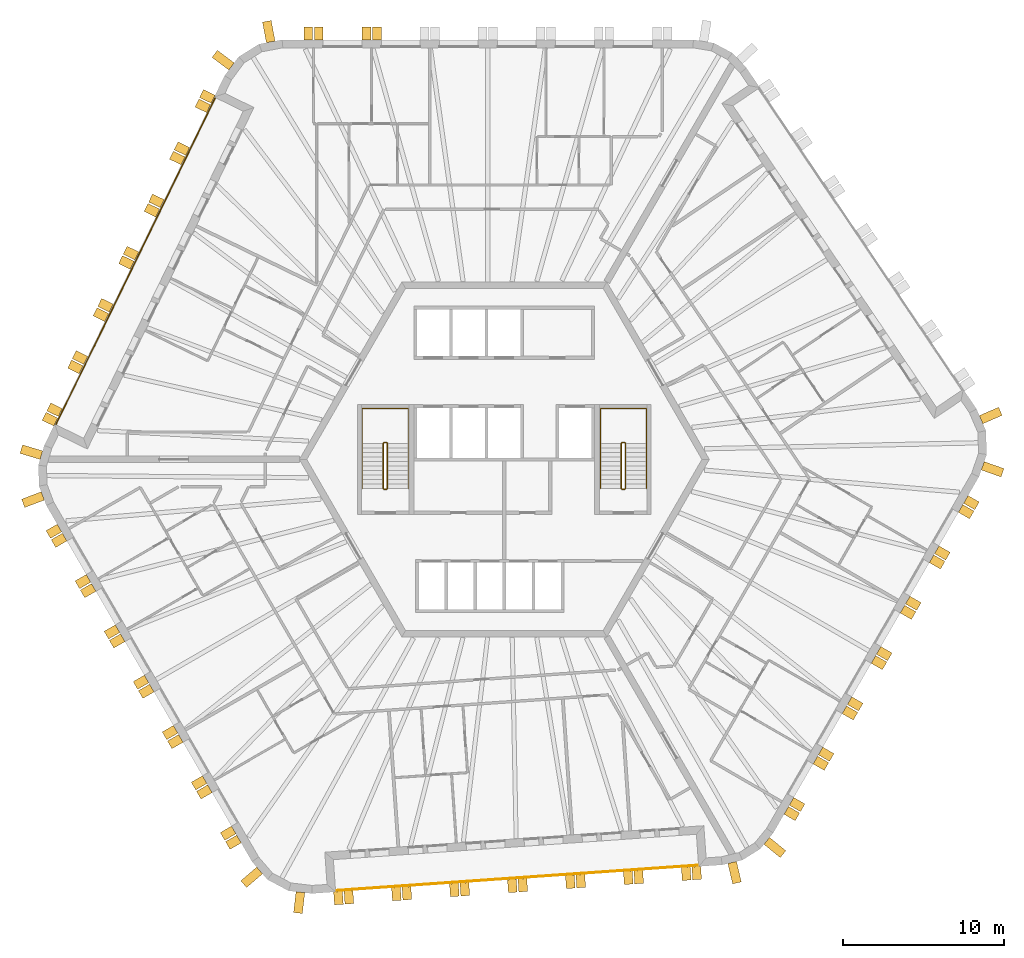
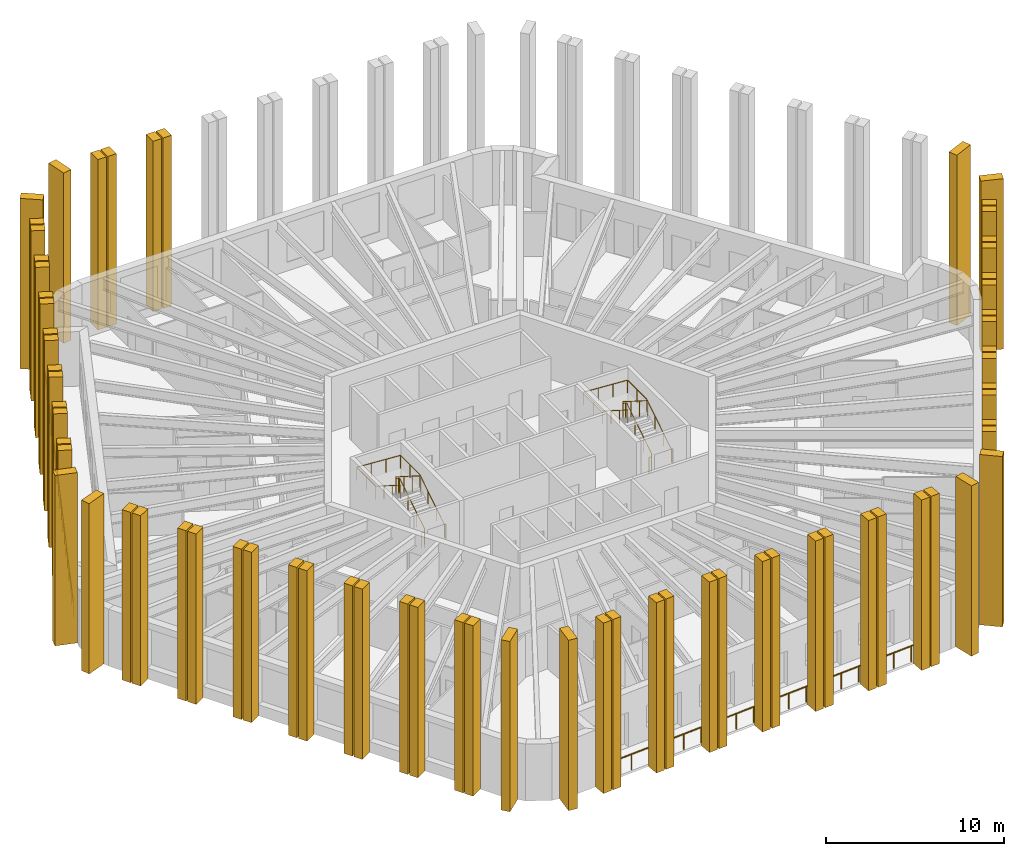
# One storey, part 12 of 13: 70 shading devices, 6 railings.
"""IFC4 building model written with IfcOpenShell, lengths in metres."""

from ifc_helpers import new_model, si_unit, direction, frame, origin, origin_2d, place, context, subcontext, project, spatial, polyline, circle, outline, extrude, material, layer, layer_set, type_object, element, save


model = new_model("IFC4")

# Units and contexts
model_context = context("Model", 3, precision=1e-05, world=origin(), true_north=direction((0.0, 1.0)))
body_context = subcontext(model_context, "Body", "Model", "MODEL_VIEW")
ifc_project = project(units=[si_unit("LENGTHUNIT", "METRE"), si_unit("AREAUNIT", "SQUARE_METRE"), si_unit("VOLUMEUNIT", "CUBIC_METRE"), si_unit("PLANEANGLEUNIT", "RADIAN"), si_unit("MASSUNIT", "GRAM", prefix="KILO")], contexts=[model_context])

# Site, building, storey
site_placement = place(None, origin())
site = spatial("IfcSite", under=ifc_project, at=site_placement, CompositionType="ELEMENT")
building_placement = place(site_placement, origin())
building = spatial("IfcBuilding", under=site, at=building_placement, Name="Tarnside Tower", CompositionType="ELEMENT")
storey_placement = place(building_placement, frame((0.0, 0.0, 303.0)))
storey = spatial("IfcBuildingStorey", under=building, at=storey_placement, Name="L73", CompositionType="ELEMENT", Elevation=303.0)

# Railings
ifc_material_1 = material(Name="Toughened glass", Category="glass")
railing_type_1 = type_object("IfcRailingType", Name="Glass guard 1100", PredefinedType="GUARDRAIL", material=ifc_material_1)
railing_1_placement = place(storey_placement, frame((-17.906005859375, 22.415283203125, 0.0)))
element("IfcRailing", 1, at=railing_1_placement, inside=storey, type_object=railing_type_1, Name="Loggia guard L73 F2", PredefinedType="GUARDRAIL", context=body_context, shape_type="SweptSolid", body=[
    extrude(circle(Radius=0.030029296875, at=origin_2d()), frame((0.0, 0.0, 1.070068359375), z_axis=(-0.438372639335, -0.898793318335, 0.0), x_axis=(0.898793318335, -0.438372639335, 0.0)), (0.0, 0.0, 1.0), 22.544921875),
    extrude(circle(Radius=0.02490234375, at=origin_2d()), origin(), (0.0, 0.0, 1.0), 1.0400390625),
    extrude(circle(Radius=0.02490234375, at=origin_2d()), frame((-0.520263671875, -1.06640625, 0.0)), (0.0, 0.0, 1.0), 1.0400390625),
    extrude(circle(Radius=0.02490234375, at=origin_2d()), frame((-1.040283203125, -2.133056640625, 0.0)), (0.0, 0.0, 1.0), 1.0400390625),
    extrude(circle(Radius=0.02490234375, at=origin_2d()), frame((-1.560546875, -3.199462890625, 0.0)), (0.0, 0.0, 1.0), 1.0400390625),
    extrude(circle(Radius=0.02490234375, at=origin_2d()), frame((-2.08056640625, -4.265869140625, 0.0)), (0.0, 0.0, 1.0), 1.0400390625),
    extrude(circle(Radius=0.02490234375, at=origin_2d()), frame((-2.600830078125, -5.33251953125, 0.0)), (0.0, 0.0, 1.0), 1.0400390625),
    extrude(circle(Radius=0.02490234375, at=origin_2d()), frame((-3.120849609375, -6.39892578125, 0.0)), (0.0, 0.0, 1.0), 1.0400390625),
    extrude(circle(Radius=0.02490234375, at=origin_2d()), frame((-3.64111328125, -7.46533203125, 0.0)), (0.0, 0.0, 1.0), 1.0400390625),
    extrude(circle(Radius=0.02490234375, at=origin_2d()), frame((-4.161376953125, -8.531982421875, 0.0)), (0.0, 0.0, 1.0), 1.0400390625),
    extrude(circle(Radius=0.02490234375, at=origin_2d()), frame((-4.681396484375, -9.598388671875, 0.0)), (0.0, 0.0, 1.0), 1.0400390625),
    extrude(circle(Radius=0.02490234375, at=origin_2d()), frame((-5.20166015625, -10.664794921875, 0.0)), (0.0, 0.0, 1.0), 1.0400390625),
    extrude(circle(Radius=0.02490234375, at=origin_2d()), frame((-5.7216796875, -11.731201171875, 0.0)), (0.0, 0.0, 1.0), 1.0400390625),
    extrude(circle(Radius=0.02490234375, at=origin_2d()), frame((-6.241943359375, -12.7978515625, 0.0)), (0.0, 0.0, 1.0), 1.0400390625),
    extrude(circle(Radius=0.02490234375, at=origin_2d()), frame((-6.76220703125, -13.8642578125, 0.0)), (0.0, 0.0, 1.0), 1.0400390625),
    extrude(circle(Radius=0.02490234375, at=origin_2d()), frame((-7.2822265625, -14.9306640625, 0.0)), (0.0, 0.0, 1.0), 1.0400390625),
    extrude(circle(Radius=0.02490234375, at=origin_2d()), frame((-7.802490234375, -15.997314453125, 0.0)), (0.0, 0.0, 1.0), 1.0400390625),
    extrude(circle(Radius=0.02490234375, at=origin_2d()), frame((-8.322509765625, -17.063720703125, 0.0)), (0.0, 0.0, 1.0), 1.0400390625),
    extrude(circle(Radius=0.02490234375, at=origin_2d()), frame((-8.8427734375, -18.130126953125, 0.0)), (0.0, 0.0, 1.0), 1.0400390625),
    extrude(circle(Radius=0.02490234375, at=origin_2d()), frame((-9.36279296875, -19.19677734375, 0.0)), (0.0, 0.0, 1.0), 1.0400390625),
    extrude(circle(Radius=0.02490234375, at=origin_2d()), frame((-9.883056640625, -20.26318359375, 0.0)), (0.0, 0.0, 1.0), 1.0400390625),
])
railing_2_placement = place(storey_placement, frame((-10.458984375, -26.714599609375, 0.0)))
element("IfcRailing", 2, at=railing_2_placement, inside=storey, type_object=railing_type_1, Name="Loggia guard L73 F4", PredefinedType="GUARDRAIL", context=body_context, shape_type="SweptSolid", body=[
    extrude(circle(Radius=0.030029296875, at=origin_2d()), frame((0.0, 0.0, 1.070068359375), z_axis=(0.997564440639, 0.069750890837, 0.0), x_axis=(-0.069750890837, 0.997564440639, 0.0)), (0.0, 0.0, 1.0), 22.544677734375),
    extrude(circle(Radius=0.02490234375, at=origin_2d()), origin(), (0.0, 0.0, 1.0), 1.0400390625),
    extrude(circle(Radius=0.02490234375, at=origin_2d()), frame((1.18359375, 0.082763671875, 0.0)), (0.0, 0.0, 1.0), 1.0400390625),
    extrude(circle(Radius=0.02490234375, at=origin_2d()), frame((2.367431640625, 0.16552734375, 0.0)), (0.0, 0.0, 1.0), 1.0400390625),
    extrude(circle(Radius=0.02490234375, at=origin_2d()), frame((3.551025390625, 0.248291015625, 0.0)), (0.0, 0.0, 1.0), 1.0400390625),
    extrude(circle(Radius=0.02490234375, at=origin_2d()), frame((4.734619140625, 0.3310546875, 0.0)), (0.0, 0.0, 1.0), 1.0400390625),
    extrude(circle(Radius=0.02490234375, at=origin_2d()), frame((5.91845703125, 0.413818359375, 0.0)), (0.0, 0.0, 1.0), 1.0400390625),
    extrude(circle(Radius=0.02490234375, at=origin_2d()), frame((7.10205078125, 0.49658203125, 0.0)), (0.0, 0.0, 1.0), 1.0400390625),
    extrude(circle(Radius=0.02490234375, at=origin_2d()), frame((8.28564453125, 0.579345703125, 0.0)), (0.0, 0.0, 1.0), 1.0400390625),
    extrude(circle(Radius=0.02490234375, at=origin_2d()), frame((9.469482421875, 0.662109375, 0.0)), (0.0, 0.0, 1.0), 1.0400390625),
    extrude(circle(Radius=0.02490234375, at=origin_2d()), frame((10.653076171875, 0.744873046875, 0.0)), (0.0, 0.0, 1.0), 1.0400390625),
    extrude(circle(Radius=0.02490234375, at=origin_2d()), frame((11.836669921875, 0.82763671875, 0.0)), (0.0, 0.0, 1.0), 1.0400390625),
    extrude(circle(Radius=0.02490234375, at=origin_2d()), frame((13.020263671875, 0.910400390625, 0.0)), (0.0, 0.0, 1.0), 1.0400390625),
    extrude(circle(Radius=0.02490234375, at=origin_2d()), frame((14.2041015625, 0.9931640625, 0.0)), (0.0, 0.0, 1.0), 1.0400390625),
    extrude(circle(Radius=0.02490234375, at=origin_2d()), frame((15.3876953125, 1.075927734375, 0.0)), (0.0, 0.0, 1.0), 1.0400390625),
    extrude(circle(Radius=0.02490234375, at=origin_2d()), frame((16.5712890625, 1.15869140625, 0.0)), (0.0, 0.0, 1.0), 1.0400390625),
    extrude(circle(Radius=0.02490234375, at=origin_2d()), frame((17.755126953125, 1.241455078125, 0.0)), (0.0, 0.0, 1.0), 1.0400390625),
    extrude(circle(Radius=0.02490234375, at=origin_2d()), frame((18.938720703125, 1.32421875, 0.0)), (0.0, 0.0, 1.0), 1.0400390625),
    extrude(circle(Radius=0.02490234375, at=origin_2d()), frame((20.122314453125, 1.406982421875, 0.0)), (0.0, 0.0, 1.0), 1.0400390625),
    extrude(circle(Radius=0.02490234375, at=origin_2d()), frame((21.30615234375, 1.48974609375, 0.0)), (0.0, 0.0, 1.0), 1.0400390625),
    extrude(circle(Radius=0.02490234375, at=origin_2d()), frame((22.48974609375, 1.572509765625, 0.0)), (0.0, 0.0, 1.0), 1.0400390625),
])

# Shading devices
ifc_material_2 = material(Name="Concrete C50/60 white precast", Category="concrete")
ifc_layer_1 = layer(ifc_material_2, 0.550048828125)
ifc_layer_set_1 = layer_set([ifc_layer_1], Name="Precast fin 550 x 1300")
shading_device_type_1 = type_object("IfcShadingDeviceType", Name="Precast fin 550 x 1300", PredefinedType="USERDEFINED", material=ifc_layer_set_1)
for number, where, z_axis, x_axis, name in (
    (3, (-14.4755859375, 25.8671875, -0.14990234375), (0.982720646705, 0.18509492305, 0.0), (-0.18509492305, 0.982720646705, 0.0), "Precast fin"),
    (4, (-16.903564453125, 24.349853515625, -0.14990234375), (0.597158591707, 0.802123192752, 0.0), (-0.802123192752, 0.597158591707, 0.0), "Precast fin"),
    (5, (-28.685791015625, 0.263427734375, -0.14990234375), (0.286803232717, 0.957989512314, 0.0), (-0.957989512314, 0.286803232717, 0.0), "Precast fin"),
    (6, (-28.597412109375, -2.263671875, -0.14990234375), (-0.352930564719, 0.935649515837, 0.0), (-0.935649515837, -0.352930564719, 0.0), "Precast fin"),
    (7, (-15.163818359375, -25.4697265625, -0.14990234375), (-0.651657228826, 0.758513583345, 0.0), (-0.758513583345, -0.651657228826, 0.0), "Precast fin"),
    (8, (-12.6357421875, -26.81396484375, -0.14990234375), (-0.993238357741, 0.116092914131, 0.0), (-0.116092914131, -0.993238357741, 0.0), "Precast fin"),
    (9, (14.11474609375, -24.974365234375, -0.14990234375), (-0.973044870581, -0.230615870737, 0.0), (0.230615870737, -0.973044870581, 0.0), "Precast fin"),
    (10, (16.25927734375, -23.63427734375, -0.14990234375), (-0.633830967394, -0.773471592738, 0.0), (0.773471592738, -0.633830967394, 0.0), "Precast fin"),
    (11, (29.639404296875, -0.3974609375, -0.14990234375), (-0.331063417879, -0.943608506396, 0.0), (0.943608506396, -0.331063417879, 0.0), "Precast fin"),
    (12, (29.53955078125, 2.464111328125, -0.14990234375), (0.396079766034, -0.918216106883, 0.0), (0.918216106883, 0.396079766034, 0.0), "Precast fin"),
):
    element("IfcShadingDevice", number, at=place(storey_placement, frame(where, z_axis=z_axis, x_axis=x_axis)), inside=storey, type_object=shading_device_type_1, Name=name, ObjectType="FIN", PredefinedType="USERDEFINED", context=body_context, shape_type="SweptSolid", body=[
        extrude(outline(polyline([(0.0, 0.0), (1.300048828125, 0.0), (1.300048828125, 11.699951171875), (0.0, 11.699951171875), (0.0, 0.0)])), frame((0.0, 0.0, -0.27490234375)), (0.0, 0.0, 1.0), 0.550048828125),
    ])
ifc_layer_2 = layer(ifc_material_2, 0.550048828125)
ifc_layer_set_2 = layer_set([ifc_layer_2], Name="Precast fin 550 x 800")
shading_device_type_2 = type_object("IfcShadingDeviceType", Name="Precast fin 550 x 800", PredefinedType="USERDEFINED", material=ifc_layer_set_2)
for number, where, z_axis, x_axis, name in (
    (13, (-7.89990234375, 26.0, -0.14990234375), (1.0, 0.0, 0.0), (0.0, 1.0, 0.0), "Precast fin"),
    (14, (-8.5498046875, 26.0, -0.14990234375), (1.0, 0.0, 0.0), (0.0, 1.0, 0.0), "Precast fin"),
    (15, (-11.499755859375, 26.0, -0.14990234375), (1.0, 0.0, 0.0), (0.0, 1.0, 0.0), "Precast fin"),
    (16, (-12.14990234375, 26.0, -0.14990234375), (1.0, 0.0, 0.0), (0.0, 1.0, 0.0), "Precast fin"),
    (17, (-18.04248046875, 22.31787109375, -0.14990234375), (0.438371146789, 0.898794046299, 0.0), (-0.898794046299, 0.438371146789, 0.0), "Precast fin"),
    (18, (-18.327392578125, 21.733642578125, -0.14990234375), (0.438371146789, 0.898794046299, 0.0), (-0.898794046299, 0.438371146789, 0.0), "Precast fin"),
    (19, (-19.62060546875, 19.08203125, -0.14990234375), (0.438371146789, 0.898794046299, 0.0), (-0.898794046299, 0.438371146789, 0.0), "Precast fin"),
    (20, (-19.905517578125, 18.497802734375, -0.14990234375), (0.438371146789, 0.898794046299, 0.0), (-0.898794046299, 0.438371146789, 0.0), "Precast fin"),
    (21, (-21.19873046875, 15.846435546875, -0.14990234375), (0.438371146789, 0.898794046299, 0.0), (-0.898794046299, 0.438371146789, 0.0), "Precast fin"),
    (22, (-21.48388671875, 15.26220703125, -0.14990234375), (0.438371146789, 0.898794046299, 0.0), (-0.898794046299, 0.438371146789, 0.0), "Precast fin"),
    (23, (-22.77685546875, 12.61083984375, -0.14990234375), (0.438371146789, 0.898794046299, 0.0), (-0.898794046299, 0.438371146789, 0.0), "Precast fin"),
    (24, (-23.06201171875, 12.026611328125, -0.14990234375), (0.438371146789, 0.898794046299, 0.0), (-0.898794046299, 0.438371146789, 0.0), "Precast fin"),
    (25, (-24.35498046875, 9.375, -0.14990234375), (0.438371146789, 0.898794046299, 0.0), (-0.898794046299, 0.438371146789, 0.0), "Precast fin"),
    (26, (-24.64013671875, 8.791015625, -0.14990234375), (0.438371146789, 0.898794046299, 0.0), (-0.898794046299, 0.438371146789, 0.0), "Precast fin"),
    (27, (-25.933349609375, 6.139404296875, -0.14990234375), (0.438371146789, 0.898794046299, 0.0), (-0.898794046299, 0.438371146789, 0.0), "Precast fin"),
    (28, (-26.21826171875, 5.55517578125, -0.14990234375), (0.438371146789, 0.898794046299, 0.0), (-0.898794046299, 0.438371146789, 0.0), "Precast fin"),
    (29, (-27.511474609375, 2.90380859375, -0.14990234375), (0.438371146789, 0.898794046299, 0.0), (-0.898794046299, 0.438371146789, 0.0), "Precast fin"),
    (30, (-27.79638671875, 2.319580078125, -0.14990234375), (0.438371146789, 0.898794046299, 0.0), (-0.898794046299, 0.438371146789, 0.0), "Precast fin"),
    (31, (-27.566650390625, -4.2529296875, -0.14990234375), (-0.5, 0.866025403784, 0.0), (-0.866025403784, -0.5, 0.0), "Precast fin"),
    (32, (-27.24169921875, -4.81591796875, -0.14990234375), (-0.5, 0.866025403784, 0.0), (-0.866025403784, -0.5, 0.0), "Precast fin"),
    (33, (-25.766845703125, -7.37060546875, -0.14990234375), (-0.5, 0.866025403784, 0.0), (-0.866025403784, -0.5, 0.0), "Precast fin"),
    (34, (-25.441650390625, -7.93359375, -0.14990234375), (-0.5, 0.866025403784, 0.0), (-0.866025403784, -0.5, 0.0), "Precast fin"),
    (35, (-23.966796875, -10.48828125, -0.14990234375), (-0.5, 0.866025403784, 0.0), (-0.866025403784, -0.5, 0.0), "Precast fin"),
    (36, (-23.641845703125, -11.05126953125, -0.14990234375), (-0.5, 0.866025403784, 0.0), (-0.866025403784, -0.5, 0.0), "Precast fin"),
    (37, (-22.166748046875, -13.60595703125, -0.14990234375), (-0.5, 0.866025403784, 0.0), (-0.866025403784, -0.5, 0.0), "Precast fin"),
    (38, (-21.841796875, -14.1689453125, -0.14990234375), (-0.5, 0.866025403784, 0.0), (-0.866025403784, -0.5, 0.0), "Precast fin"),
    (39, (-20.36669921875, -16.7236328125, -0.14990234375), (-0.5, 0.866025403784, 0.0), (-0.866025403784, -0.5, 0.0), "Precast fin"),
    (40, (-20.041748046875, -17.28662109375, -0.14990234375), (-0.5, 0.866025403784, 0.0), (-0.866025403784, -0.5, 0.0), "Precast fin"),
    (41, (-18.566650390625, -19.84130859375, -0.14990234375), (-0.5, 0.866025403784, 0.0), (-0.866025403784, -0.5, 0.0), "Precast fin"),
    (42, (-18.24169921875, -20.404296875, -0.14990234375), (-0.5, 0.866025403784, 0.0), (-0.866025403784, -0.5, 0.0), "Precast fin"),
    (43, (-16.766845703125, -22.959228515625, -0.14990234375), (-0.5, 0.866025403784, 0.0), (-0.866025403784, -0.5, 0.0), "Precast fin"),
    (44, (-16.441650390625, -23.52197265625, -0.14990234375), (-0.5, 0.866025403784, 0.0), (-0.866025403784, -0.5, 0.0), "Precast fin"),
    (45, (-10.306396484375, -26.7841796875, -0.14990234375), (-0.99756405026, -0.069756473744, 0.0), (0.069756473744, -0.99756405026, 0.0), "Precast fin"),
    (46, (-9.657958984375, -26.73876953125, -0.14990234375), (-0.99756405026, -0.069756473744, 0.0), (0.069756473744, -0.99756405026, 0.0), "Precast fin"),
    (47, (-6.71533203125, -26.532958984375, -0.14990234375), (-0.99756405026, -0.069756473744, 0.0), (0.069756473744, -0.99756405026, 0.0), "Precast fin"),
    (48, (-6.06689453125, -26.48779296875, -0.14990234375), (-0.99756405026, -0.069756473744, 0.0), (0.069756473744, -0.99756405026, 0.0), "Precast fin"),
    (49, (-3.1240234375, -26.281982421875, -0.14990234375), (-0.99756405026, -0.069756473744, 0.0), (0.069756473744, -0.99756405026, 0.0), "Precast fin"),
    (50, (-2.4755859375, -26.236572265625, -0.14990234375), (-0.99756405026, -0.069756473744, 0.0), (0.069756473744, -0.99756405026, 0.0), "Precast fin"),
    (51, (0.46728515625, -26.03076171875, -0.14990234375), (-0.99756405026, -0.069756473744, 0.0), (0.069756473744, -0.99756405026, 0.0), "Precast fin"),
    (52, (1.11572265625, -25.985595703125, -0.14990234375), (-0.99756405026, -0.069756473744, 0.0), (0.069756473744, -0.99756405026, 0.0), "Precast fin"),
    (53, (4.058349609375, -25.77978515625, -0.14990234375), (-0.99756405026, -0.069756473744, 0.0), (0.069756473744, -0.99756405026, 0.0), "Precast fin"),
    (54, (4.706787109375, -25.734375, -0.14990234375), (-0.99756405026, -0.069756473744, 0.0), (0.069756473744, -0.99756405026, 0.0), "Precast fin"),
    (55, (7.649658203125, -25.528564453125, -0.14990234375), (-0.99756405026, -0.069756473744, 0.0), (0.069756473744, -0.99756405026, 0.0), "Precast fin"),
    (56, (8.298095703125, -25.483154296875, -0.14990234375), (-0.99756405026, -0.069756473744, 0.0), (0.069756473744, -0.99756405026, 0.0), "Precast fin"),
    (57, (11.240966796875, -25.27734375, -0.14990234375), (-0.99756405026, -0.069756473744, 0.0), (0.069756473744, -0.99756405026, 0.0), "Precast fin"),
    (58, (11.889404296875, -25.232177734375, -0.14990234375), (-0.99756405026, -0.069756473744, 0.0), (0.069756473744, -0.99756405026, 0.0), "Precast fin"),
    (59, (17.466552734375, -21.7470703125, -0.14990234375), (-0.5, -0.866025403784, 0.0), (0.866025403784, -0.5, 0.0), "Precast fin"),
    (60, (17.79150390625, -21.18408203125, -0.14990234375), (-0.5, -0.866025403784, 0.0), (0.866025403784, -0.5, 0.0), "Precast fin"),
    (61, (19.2666015625, -18.62939453125, -0.14990234375), (-0.5, -0.866025403784, 0.0), (0.866025403784, -0.5, 0.0), "Precast fin"),
    (62, (19.591552734375, -18.06640625, -0.14990234375), (-0.5, -0.866025403784, 0.0), (0.866025403784, -0.5, 0.0), "Precast fin"),
    (63, (21.066650390625, -15.51171875, -0.14990234375), (-0.5, -0.866025403784, 0.0), (0.866025403784, -0.5, 0.0), "Precast fin"),
    (64, (21.3916015625, -14.94873046875, -0.14990234375), (-0.5, -0.866025403784, 0.0), (0.866025403784, -0.5, 0.0), "Precast fin"),
    (65, (22.866455078125, -12.39404296875, -0.14990234375), (-0.5, -0.866025403784, 0.0), (0.866025403784, -0.5, 0.0), "Precast fin"),
    (66, (23.191650390625, -11.8310546875, -0.14990234375), (-0.5, -0.866025403784, 0.0), (0.866025403784, -0.5, 0.0), "Precast fin"),
    (67, (24.66650390625, -9.2763671875, -0.14990234375), (-0.5, -0.866025403784, 0.0), (0.866025403784, -0.5, 0.0), "Precast fin"),
    (68, (24.991455078125, -8.71337890625, -0.14990234375), (-0.5, -0.866025403784, 0.0), (0.866025403784, -0.5, 0.0), "Precast fin"),
    (69, (26.466552734375, -6.15869140625, -0.14990234375), (-0.5, -0.866025403784, 0.0), (0.866025403784, -0.5, 0.0), "Precast fin"),
    (70, (26.79150390625, -5.595703125, -0.14990234375), (-0.5, -0.866025403784, 0.0), (0.866025403784, -0.5, 0.0), "Precast fin"),
    (71, (28.2666015625, -3.040771484375, -0.14990234375), (-0.5, -0.866025403784, 0.0), (0.866025403784, -0.5, 0.0), "Precast fin"),
    (72, (28.591552734375, -2.47802734375, -0.14990234375), (-0.5, -0.866025403784, 0.0), (0.866025403784, -0.5, 0.0), "Precast fin"),
):
    element("IfcShadingDevice", number, at=place(storey_placement, frame(where, z_axis=z_axis, x_axis=x_axis)), inside=storey, type_object=shading_device_type_2, Name=name, ObjectType="FIN", PredefinedType="USERDEFINED", context=body_context, shape_type="SweptSolid", body=[
        extrude(outline(polyline([(0.0, 0.0), (0.800048828125, 0.0), (0.800048828125, 11.699951171875), (0.0, 11.699951171875), (0.0, 0.0)])), frame((0.0, 0.0, -0.27490234375)), (0.0, 0.0, 1.0), 0.550048828125),
    ])

# Railings
ifc_material_3 = material(Name="Stainless steel", Category="steel")
railing_type_2 = type_object("IfcRailingType", Name="Stair guard 1100", PredefinedType="GUARDRAIL", material=ifc_material_3)
railing_3_placement = place(storey_placement, frame((7.300048828125, -1.85009765625, 0.0)))
element("IfcRailing", 73, at=railing_3_placement, inside=storey, type_object=railing_type_2, Name="L73 ST1 stair guard 1", PredefinedType="GUARDRAIL", context=body_context, shape_type="SweptSolid", body=[
    extrude(circle(Radius=0.02392578125, at=origin_2d()), frame((0.0, 0.0, 1.076171875), z_axis=(1.0, 0.0, 0.0), x_axis=(0.0, 1.0, 0.0)), (0.0, 0.0, 1.0), 0.14990234375),
    extrude(circle(Radius=0.02392578125, at=origin_2d()), frame((0.14990234375, 0.0, 1.076171875), z_axis=(0.262233686654, 0.262233686654, 0.928691007369), x_axis=(-0.707106781187, 0.707106781187, 0.0)), (0.0, 0.0, 1.0), 0.19091796875),
    extrude(circle(Radius=0.02392578125, at=origin_2d()), frame((0.199951171875, 0.050048828125, 1.25341796875), z_axis=(0.0, 0.844908973607, 0.534910110503), x_axis=(-1.0, 0.0, 0.0)), (0.0, 0.0, 1.0), 3.31396484375),
    extrude(circle(Radius=0.02392578125, at=origin_2d()), frame((0.199951171875, 2.85009765625, 3.02587890625), z_axis=(-0.707106781187, 0.707106781187, 0.0), x_axis=(-0.707106781187, -0.707106781187, 0.0)), (0.0, 0.0, 1.0), 0.07080078125),
    extrude(circle(Radius=0.02392578125, at=origin_2d()), frame((0.14990234375, 2.900146484375, 3.02587890625), z_axis=(-1.0, 0.0, 0.0), x_axis=(0.0, -1.0, 0.0)), (0.0, 0.0, 1.0), 0.14990234375),
    extrude(circle(Radius=0.02392578125, at=origin_2d()), frame((0.0, 2.900146484375, 3.02587890625), z_axis=(-0.262233686654, -0.262233686654, 0.928691007369), x_axis=(0.707106781187, -0.707106781187, 0.0)), (0.0, 0.0, 1.0), 0.19091796875),
    extrude(circle(Radius=0.02392578125, at=origin_2d()), frame((-0.050048828125, 2.85009765625, 3.203125), z_axis=(0.0, -0.844908973607, 0.534910110503), x_axis=(1.0, 0.0, 0.0)), (0.0, 0.0, 1.0), 3.31396484375),
    extrude(circle(Radius=0.02099609375, at=origin_2d()), origin(), (0.0, 0.0, 1.0), 1.052001953125),
    extrude(circle(Radius=0.02099609375, at=origin_2d()), frame((0.14990234375, 0.0, 0.0)), (0.0, 0.0, 1.0), 1.052001953125),
    extrude(circle(Radius=0.02099609375, at=origin_2d()), frame((0.199951171875, 0.050048828125, 0.17724609375)), (0.0, 0.0, 1.0), 1.052001953125),
    extrude(circle(Radius=0.02099609375, at=origin_2d()), frame((0.199951171875, 0.9833984375, 0.76806640625)), (0.0, 0.0, 1.0), 1.052001953125),
    extrude(circle(Radius=0.02099609375, at=origin_2d()), frame((0.199951171875, 1.916748046875, 1.359130859375)), (0.0, 0.0, 1.0), 1.052001953125),
    extrude(circle(Radius=0.02099609375, at=origin_2d()), frame((0.199951171875, 2.85009765625, 1.949951171875)), (0.0, 0.0, 1.0), 1.052001953125),
    extrude(circle(Radius=0.02099609375, at=origin_2d()), frame((0.14990234375, 2.900146484375, 1.949951171875)), (0.0, 0.0, 1.0), 1.052001953125),
    extrude(circle(Radius=0.02099609375, at=origin_2d()), frame((0.0, 2.900146484375, 1.949951171875)), (0.0, 0.0, 1.0), 1.052001953125),
    extrude(circle(Radius=0.02099609375, at=origin_2d()), frame((-0.050048828125, 2.85009765625, 2.127197265625)), (0.0, 0.0, 1.0), 1.052001953125),
    extrude(circle(Radius=0.02099609375, at=origin_2d()), frame((-0.050048828125, 1.916748046875, 2.718017578125)), (0.0, 0.0, 1.0), 1.052001953125),
    extrude(circle(Radius=0.02099609375, at=origin_2d()), frame((-0.050048828125, 0.9833984375, 3.30908203125)), (0.0, 0.0, 1.0), 1.052001953125),
    extrude(circle(Radius=0.02099609375, at=origin_2d()), frame((-0.050048828125, 0.050048828125, 3.89990234375)), (0.0, 0.0, 1.0), 1.052001953125),
])
railing_4_placement = place(storey_placement, frame((-7.449951171875, -1.85009765625, 0.0)))
element("IfcRailing", 74, at=railing_4_placement, inside=storey, type_object=railing_type_2, Name="L73 ST2 stair guard 1", PredefinedType="GUARDRAIL", context=body_context, shape_type="SweptSolid", body=[
    extrude(circle(Radius=0.02392578125, at=origin_2d()), frame((0.0, 0.0, 1.076171875), z_axis=(1.0, 0.0, 0.0), x_axis=(0.0, 1.0, 0.0)), (0.0, 0.0, 1.0), 0.14990234375),
    extrude(circle(Radius=0.02392578125, at=origin_2d()), frame((0.14990234375, 0.0, 1.076171875), z_axis=(0.262233686654, 0.262233686654, 0.928691007369), x_axis=(-0.707106781187, 0.707106781187, 0.0)), (0.0, 0.0, 1.0), 0.19091796875),
    extrude(circle(Radius=0.02392578125, at=origin_2d()), frame((0.199951171875, 0.050048828125, 1.25341796875), z_axis=(0.0, 0.844908973607, 0.534910110503), x_axis=(-1.0, 0.0, 0.0)), (0.0, 0.0, 1.0), 3.31396484375),
    extrude(circle(Radius=0.02392578125, at=origin_2d()), frame((0.199951171875, 2.85009765625, 3.02587890625), z_axis=(-0.707106781187, 0.707106781187, 0.0), x_axis=(-0.707106781187, -0.707106781187, 0.0)), (0.0, 0.0, 1.0), 0.07080078125),
    extrude(circle(Radius=0.02392578125, at=origin_2d()), frame((0.14990234375, 2.900146484375, 3.02587890625), z_axis=(-1.0, 0.0, 0.0), x_axis=(0.0, -1.0, 0.0)), (0.0, 0.0, 1.0), 0.14990234375),
    extrude(circle(Radius=0.02392578125, at=origin_2d()), frame((0.0, 2.900146484375, 3.02587890625), z_axis=(-0.262233686654, -0.262233686654, 0.928691007369), x_axis=(0.707106781187, -0.707106781187, 0.0)), (0.0, 0.0, 1.0), 0.19091796875),
    extrude(circle(Radius=0.02392578125, at=origin_2d()), frame((-0.050048828125, 2.85009765625, 3.203125), z_axis=(0.0, -0.844908973607, 0.534910110503), x_axis=(1.0, 0.0, 0.0)), (0.0, 0.0, 1.0), 3.31396484375),
    extrude(circle(Radius=0.02099609375, at=origin_2d()), origin(), (0.0, 0.0, 1.0), 1.052001953125),
    extrude(circle(Radius=0.02099609375, at=origin_2d()), frame((0.14990234375, 0.0, 0.0)), (0.0, 0.0, 1.0), 1.052001953125),
    extrude(circle(Radius=0.02099609375, at=origin_2d()), frame((0.199951171875, 0.050048828125, 0.17724609375)), (0.0, 0.0, 1.0), 1.052001953125),
    extrude(circle(Radius=0.02099609375, at=origin_2d()), frame((0.199951171875, 0.9833984375, 0.76806640625)), (0.0, 0.0, 1.0), 1.052001953125),
    extrude(circle(Radius=0.02099609375, at=origin_2d()), frame((0.199951171875, 1.916748046875, 1.359130859375)), (0.0, 0.0, 1.0), 1.052001953125),
    extrude(circle(Radius=0.02099609375, at=origin_2d()), frame((0.199951171875, 2.85009765625, 1.949951171875)), (0.0, 0.0, 1.0), 1.052001953125),
    extrude(circle(Radius=0.02099609375, at=origin_2d()), frame((0.14990234375, 2.900146484375, 1.949951171875)), (0.0, 0.0, 1.0), 1.052001953125),
    extrude(circle(Radius=0.02099609375, at=origin_2d()), frame((0.0, 2.900146484375, 1.949951171875)), (0.0, 0.0, 1.0), 1.052001953125),
    extrude(circle(Radius=0.02099609375, at=origin_2d()), frame((-0.050048828125, 2.85009765625, 2.127197265625)), (0.0, 0.0, 1.0), 1.052001953125),
    extrude(circle(Radius=0.02099609375, at=origin_2d()), frame((-0.050048828125, 1.916748046875, 2.718017578125)), (0.0, 0.0, 1.0), 1.052001953125),
    extrude(circle(Radius=0.02099609375, at=origin_2d()), frame((-0.050048828125, 0.9833984375, 3.30908203125)), (0.0, 0.0, 1.0), 1.052001953125),
    extrude(circle(Radius=0.02099609375, at=origin_2d()), frame((-0.050048828125, 0.050048828125, 3.89990234375)), (0.0, 0.0, 1.0), 1.052001953125),
])
railing_type_3 = type_object("IfcRailingType", Name="Stair handrail 900", PredefinedType="HANDRAIL", material=ifc_material_3)
railing_5_placement = place(storey_placement, frame((8.800048828125, -1.800048828125, 0.17724609375)))
element("IfcRailing", 75, at=railing_5_placement, inside=storey, type_object=railing_type_3, Name="L73 ST1 stair handrail 1", PredefinedType="HANDRAIL", context=body_context, shape_type="SweptSolid", body=[
    extrude(circle(Radius=0.02392578125, at=origin_2d()), frame((0.0, 0.0, 0.8857421875), z_axis=(0.0, 0.844908973607, 0.534910110503), x_axis=(-1.0, 0.0, 0.0)), (0.0, 0.0, 1.0), 3.31396484375),
    extrude(circle(Radius=0.02392578125, at=origin_2d()), frame((0.0, 2.800048828125, 2.65869140625), z_axis=(0.0, 1.0, 0.0), x_axis=(-1.0, 0.0, 0.0)), (0.0, 0.0, 1.0), 2.14990234375),
    extrude(circle(Radius=0.02392578125, at=origin_2d()), frame((0.0, 4.949951171875, 2.65869140625), z_axis=(-0.998071825391, 0.0, 0.06206956872), x_axis=(0.0, -1.0, 0.0)), (0.0, 0.0, 1.0), 2.855712890625),
    extrude(circle(Radius=0.02392578125, at=origin_2d()), frame((-2.85009765625, 4.949951171875, 2.8359375), z_axis=(0.0, -1.0, 0.0), x_axis=(1.0, 0.0, 0.0)), (0.0, 0.0, 1.0), 2.14990234375),
    extrude(circle(Radius=0.02392578125, at=origin_2d()), frame((-2.85009765625, 2.800048828125, 2.8359375), z_axis=(0.0, -0.844908973607, 0.534910110503), x_axis=(1.0, 0.0, 0.0)), (0.0, 0.0, 1.0), 3.31396484375),
    extrude(circle(Radius=0.02099609375, at=origin_2d()), origin(), (0.0, 0.0, 1.0), 0.86181640625),
    extrude(circle(Radius=0.02099609375, at=origin_2d()), frame((0.0, 0.933349609375, 0.5908203125)), (0.0, 0.0, 1.0), 0.86181640625),
    extrude(circle(Radius=0.02099609375, at=origin_2d()), frame((0.0, 1.86669921875, 1.181884765625)), (0.0, 0.0, 1.0), 0.86181640625),
    extrude(circle(Radius=0.02099609375, at=origin_2d()), frame((0.0, 2.800048828125, 1.772705078125)), (0.0, 0.0, 1.0), 0.86181640625),
    extrude(circle(Radius=0.02099609375, at=origin_2d()), frame((0.0, 3.875, 1.772705078125)), (0.0, 0.0, 1.0), 0.86181640625),
    extrude(circle(Radius=0.02099609375, at=origin_2d()), frame((0.0, 4.949951171875, 1.772705078125)), (0.0, 0.0, 1.0), 0.86181640625),
    extrude(circle(Radius=0.02099609375, at=origin_2d()), frame((-0.949951171875, 4.949951171875, 1.831787109375)), (0.0, 0.0, 1.0), 0.86181640625),
    extrude(circle(Radius=0.02099609375, at=origin_2d()), frame((-1.900146484375, 4.949951171875, 1.890869140625)), (0.0, 0.0, 1.0), 0.86181640625),
    extrude(circle(Radius=0.02099609375, at=origin_2d()), frame((-2.85009765625, 4.949951171875, 1.949951171875)), (0.0, 0.0, 1.0), 0.86181640625),
    extrude(circle(Radius=0.02099609375, at=origin_2d()), frame((-2.85009765625, 3.875, 1.949951171875)), (0.0, 0.0, 1.0), 0.86181640625),
    extrude(circle(Radius=0.02099609375, at=origin_2d()), frame((-2.85009765625, 2.800048828125, 1.949951171875)), (0.0, 0.0, 1.0), 0.86181640625),
    extrude(circle(Radius=0.02099609375, at=origin_2d()), frame((-2.85009765625, 1.86669921875, 2.540771484375)), (0.0, 0.0, 1.0), 0.86181640625),
    extrude(circle(Radius=0.02099609375, at=origin_2d()), frame((-2.85009765625, 0.933349609375, 3.1318359375)), (0.0, 0.0, 1.0), 0.86181640625),
    extrude(circle(Radius=0.02099609375, at=origin_2d()), frame((-2.85009765625, 0.0, 3.72265625)), (0.0, 0.0, 1.0), 0.86181640625),
])
railing_6_placement = place(storey_placement, frame((-5.949951171875, -1.800048828125, 0.17724609375)))
element("IfcRailing", 76, at=railing_6_placement, inside=storey, type_object=railing_type_3, Name="L73 ST2 stair handrail 1", PredefinedType="HANDRAIL", context=body_context, shape_type="SweptSolid", body=[
    extrude(circle(Radius=0.02392578125, at=origin_2d()), frame((0.0, 0.0, 0.8857421875), z_axis=(0.0, 0.844908973607, 0.534910110503), x_axis=(-1.0, 0.0, 0.0)), (0.0, 0.0, 1.0), 3.31396484375),
    extrude(circle(Radius=0.02392578125, at=origin_2d()), frame((0.0, 2.800048828125, 2.65869140625), z_axis=(0.0, 1.0, 0.0), x_axis=(-1.0, 0.0, 0.0)), (0.0, 0.0, 1.0), 2.14990234375),
    extrude(circle(Radius=0.02392578125, at=origin_2d()), frame((0.0, 4.949951171875, 2.65869140625), z_axis=(-0.998071825391, 0.0, 0.06206956872), x_axis=(0.0, -1.0, 0.0)), (0.0, 0.0, 1.0), 2.855712890625),
    extrude(circle(Radius=0.02392578125, at=origin_2d()), frame((-2.85009765625, 4.949951171875, 2.8359375), z_axis=(0.0, -1.0, 0.0), x_axis=(1.0, 0.0, 0.0)), (0.0, 0.0, 1.0), 2.14990234375),
    extrude(circle(Radius=0.02392578125, at=origin_2d()), frame((-2.85009765625, 2.800048828125, 2.8359375), z_axis=(0.0, -0.844908973607, 0.534910110503), x_axis=(1.0, 0.0, 0.0)), (0.0, 0.0, 1.0), 3.31396484375),
    extrude(circle(Radius=0.02099609375, at=origin_2d()), origin(), (0.0, 0.0, 1.0), 0.86181640625),
    extrude(circle(Radius=0.02099609375, at=origin_2d()), frame((0.0, 0.933349609375, 0.5908203125)), (0.0, 0.0, 1.0), 0.86181640625),
    extrude(circle(Radius=0.02099609375, at=origin_2d()), frame((0.0, 1.86669921875, 1.181884765625)), (0.0, 0.0, 1.0), 0.86181640625),
    extrude(circle(Radius=0.02099609375, at=origin_2d()), frame((0.0, 2.800048828125, 1.772705078125)), (0.0, 0.0, 1.0), 0.86181640625),
    extrude(circle(Radius=0.02099609375, at=origin_2d()), frame((0.0, 3.875, 1.772705078125)), (0.0, 0.0, 1.0), 0.86181640625),
    extrude(circle(Radius=0.02099609375, at=origin_2d()), frame((0.0, 4.949951171875, 1.772705078125)), (0.0, 0.0, 1.0), 0.86181640625),
    extrude(circle(Radius=0.02099609375, at=origin_2d()), frame((-0.949951171875, 4.949951171875, 1.831787109375)), (0.0, 0.0, 1.0), 0.86181640625),
    extrude(circle(Radius=0.02099609375, at=origin_2d()), frame((-1.900146484375, 4.949951171875, 1.890869140625)), (0.0, 0.0, 1.0), 0.86181640625),
    extrude(circle(Radius=0.02099609375, at=origin_2d()), frame((-2.85009765625, 4.949951171875, 1.949951171875)), (0.0, 0.0, 1.0), 0.86181640625),
    extrude(circle(Radius=0.02099609375, at=origin_2d()), frame((-2.85009765625, 3.875, 1.949951171875)), (0.0, 0.0, 1.0), 0.86181640625),
    extrude(circle(Radius=0.02099609375, at=origin_2d()), frame((-2.85009765625, 2.800048828125, 1.949951171875)), (0.0, 0.0, 1.0), 0.86181640625),
    extrude(circle(Radius=0.02099609375, at=origin_2d()), frame((-2.85009765625, 1.86669921875, 2.540771484375)), (0.0, 0.0, 1.0), 0.86181640625),
    extrude(circle(Radius=0.02099609375, at=origin_2d()), frame((-2.85009765625, 0.933349609375, 3.1318359375)), (0.0, 0.0, 1.0), 0.86181640625),
    extrude(circle(Radius=0.02099609375, at=origin_2d()), frame((-2.85009765625, 0.0, 3.72265625)), (0.0, 0.0, 1.0), 0.86181640625),
])

save(model, "model.ifc")
